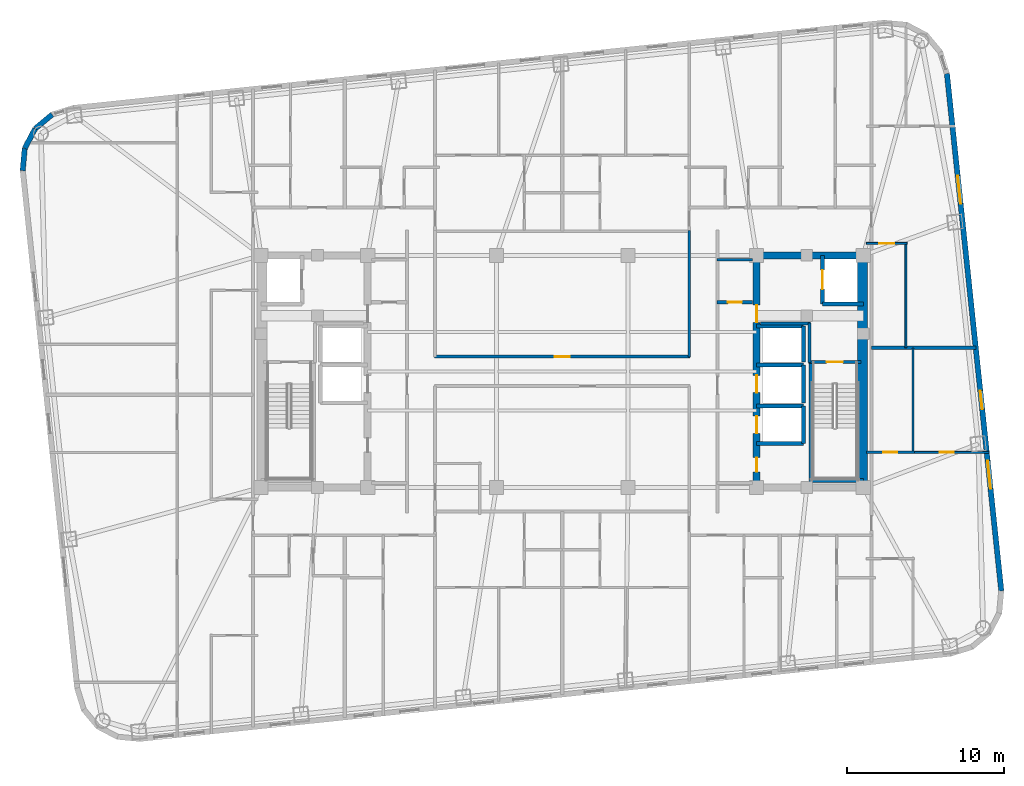
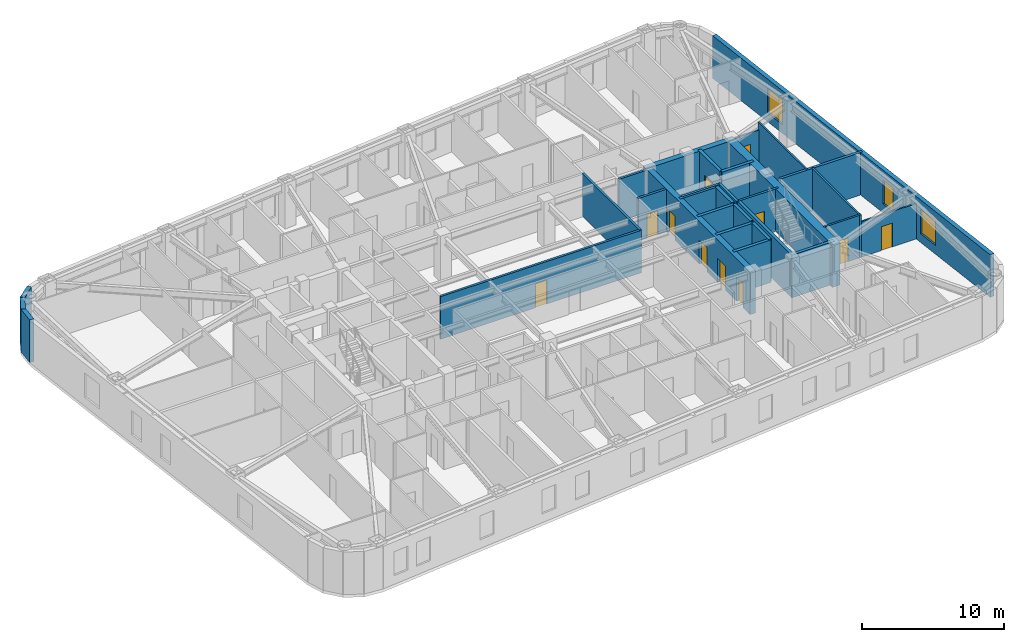
# One storey, part 6 of 11: 31 walls, 11 doors, 3 windows, 14 openings.
"""IFC4 building model written with IfcOpenShell, lengths in metres."""

from ifc_helpers import new_model, si_unit, direction, frame, frame_2d, origin, place, context, subcontext, project, spatial, rectangle, extrude, material, layer, layer_set, type_object, element, fill, save


model = new_model("IFC4")

# Units and contexts
model_context = context("Model", 3, precision=1e-05, world=origin(), true_north=direction((0.0, 1.0)))
body_context = subcontext(model_context, "Body", "Model", "MODEL_VIEW")
ifc_project = project(units=[si_unit("LENGTHUNIT", "METRE"), si_unit("AREAUNIT", "SQUARE_METRE"), si_unit("VOLUMEUNIT", "CUBIC_METRE"), si_unit("PLANEANGLEUNIT", "RADIAN"), si_unit("MASSUNIT", "GRAM", prefix="KILO")], contexts=[model_context])

# Site, building, storey
site_placement = place(None, origin())
site = spatial("IfcSite", under=ifc_project, at=site_placement, CompositionType="ELEMENT")
building_placement = place(site_placement, origin())
building = spatial("IfcBuilding", under=site, at=building_placement, Name="Voryun Gate Residences", CompositionType="ELEMENT")
storey_placement = place(building_placement, frame((0.0, 0.0, 163.800048828125)))
storey = spatial("IfcBuildingStorey", under=building, at=storey_placement, Name="L40", CompositionType="ELEMENT", Elevation=163.800048828125)

# Wall
ifc_material_1 = material(Name="Concrete C50/60", Category="concrete")
ifc_layer_1 = layer(ifc_material_1, 0.449951171875, Name="CW_CORE_450")
ifc_layer_set_1 = layer_set([ifc_layer_1], Name="Concrete C50/60")
wall_type_1 = type_object("IfcWallType", Name="CW_CORE_450", PredefinedType="SHEAR", material=ifc_layer_set_1)
wall_1_placement = place(storey_placement, frame((12.175048828125, 7.39990234375, 0.0), z_axis=(0.0, 0.0, 1.0), x_axis=(1.0, 0.0, 0.0)))
element("IfcWall", 1, at=wall_1_placement, inside=storey, type_object=wall_type_1, Name="L40 Core shear wall CW-L40-EN", PredefinedType="SHEAR", context=body_context, shape_type="SweptSolid", body=[
    extrude(rectangle(XDim=7.25, YDim=0.449951171875, at=frame_2d((3.625, 0.0))), origin(), (0.0, 0.0, 1.0), 3.64990234375),
])

# Wall, openings, doors
wall_2_placement = place(storey_placement, frame((12.39990234375, -7.39990234375, 0.0), z_axis=(0.0, 0.0, 1.0), x_axis=(0.0, 1.0, 0.0)))
wall_2 = element("IfcWall", 2, at=wall_2_placement, inside=storey, type_object=wall_type_1, Name="L40 Core shear wall CW-L40-EW", PredefinedType="SHEAR", context=body_context, shape_type="SweptSolid", body=[
    extrude(rectangle(XDim=14.7998046875, YDim=0.449951171875, at=frame_2d((7.39990234375, 0.0))), origin(), (0.0, 0.0, 1.0), 3.64990234375),
])
opening_1_placement = place(wall_2_placement, frame((3.449951171875, 0.0, 0.0)))
opening_1 = element("IfcOpeningElement", 3, at=opening_1_placement, cuts=wall_2, Name="Opening LD2", PredefinedType="OPENING", context=body_context, shape_type="SweptSolid", body=[
    extrude(rectangle(XDim=1.10009765625, YDim=2.050048828125, at=frame_2d((0.550048828125, 1.02490234375))), frame((0.0, 0.235107421875, 0.0), z_axis=(0.0, -1.0, 0.0), x_axis=(1.0, 0.0, 0.0)), (0.0, 0.0, 1.0), 0.469970703125),
])
opening_2_placement = place(wall_2_placement, frame((6.050048828125, 0.0, 0.0)))
opening_2 = element("IfcOpeningElement", 4, at=opening_2_placement, cuts=wall_2, Name="Opening LD2", PredefinedType="OPENING", context=body_context, shape_type="SweptSolid", body=[
    extrude(rectangle(XDim=1.10009765625, YDim=2.050048828125, at=frame_2d((0.550048828125, 1.02490234375))), frame((0.0, 0.235107421875, 0.0), z_axis=(0.0, -1.0, 0.0), x_axis=(1.0, 0.0, 0.0)), (0.0, 0.0, 1.0), 0.469970703125),
])
opening_3_placement = place(wall_2_placement, frame((10.530029296875, 0.0, 0.0)))
opening_3 = element("IfcOpeningElement", 5, at=opening_3_placement, cuts=wall_2, Name="Opening D-FD60-2", PredefinedType="OPENING", context=body_context, shape_type="SweptSolid", body=[
    extrude(rectangle(XDim=1.10009765625, YDim=2.050048828125, at=frame_2d((0.550048828125, 1.02490234375))), frame((0.0, 0.235107421875, 0.0), z_axis=(0.0, -1.0, 0.0), x_axis=(1.0, 0.0, 0.0)), (0.0, 0.0, 1.0), 0.469970703125),
])
opening_4_placement = place(wall_2_placement, frame((1.0, 0.0, 0.0)))
opening_4 = element("IfcOpeningElement", 6, at=opening_4_placement, cuts=wall_2, Name="Opening D-FD60-4", PredefinedType="OPENING", context=body_context, shape_type="SweptSolid", body=[
    extrude(rectangle(XDim=0.89990234375, YDim=2.050048828125, at=frame_2d((0.449951171875, 1.02490234375))), frame((0.0, 0.235107421875, 0.0), z_axis=(0.0, -1.0, 0.0), x_axis=(1.0, 0.0, 0.0)), (0.0, 0.0, 1.0), 0.469970703125),
])
ifc_material_2 = material(Name="Painted steel fire door", Category="steel")
door_type_1 = type_object("IfcDoorType", Name="DR_FD60_FFLOB_1100", OperationType="NOTDEFINED", PredefinedType="DOOR", material=ifc_material_2)
door_1_placement = place(opening_3_placement, origin())
door_1 = element("IfcDoor", 7, at=door_1_placement, inside=storey, type_object=door_type_1, Name="Door DR-L40-CLOB-E", OperationType="SINGLE_SWING_RIGHT", OverallHeight=2.050048828125, OverallWidth=1.10009765625, PredefinedType="DOOR", context=body_context, shape_type="SweptSolid", body=[
    extrude(rectangle(XDim=1.10009765625, YDim=2.050048828125, at=frame_2d((0.550048828125, 1.02490234375))), frame((0.0, 0.02490234375, 0.0), z_axis=(0.0, -1.0, 0.0), x_axis=(1.0, 0.0, 0.0)), (0.0, 0.0, 1.0), 0.050048828125),
])
fill(opening_3, door_1)
ifc_material_3 = material(Name="Painted steel fire door", Category="steel")
door_type_2 = type_object("IfcDoorType", Name="DR_FD60_RISER_900", OperationType="NOTDEFINED", PredefinedType="DOOR", material=ifc_material_3)
door_2_placement = place(opening_4_placement, origin())
door_2 = element("IfcDoor", 8, at=door_2_placement, inside=storey, type_object=door_type_2, Name="Door DR-L40-RECE1", OperationType="SINGLE_SWING_RIGHT", OverallHeight=2.050048828125, OverallWidth=0.89990234375, PredefinedType="DOOR", context=body_context, shape_type="SweptSolid", body=[
    extrude(rectangle(XDim=0.89990234375, YDim=2.050048828125, at=frame_2d((0.449951171875, 1.02490234375))), frame((0.0, 0.02490234375, 0.0), z_axis=(0.0, -1.0, 0.0), x_axis=(1.0, 0.0, 0.0)), (0.0, 0.0, 1.0), 0.050048828125),
])
fill(opening_4, door_2)
ifc_material_4 = material(Name="Anodised aluminium", Category="aluminium")
door_type_3 = type_object("IfcDoorType", Name="DR_LD_PASS_1100", OperationType="NOTDEFINED", PredefinedType="DOOR", material=ifc_material_4)
door_3_placement = place(opening_1_placement, origin())
door_3 = element("IfcDoor", 9, at=door_3_placement, inside=storey, type_object=door_type_3, Name="Lift EL-P5 sliding landing door L40", OperationType="SLIDING_TO_LEFT", OverallHeight=2.050048828125, OverallWidth=1.10009765625, PredefinedType="DOOR", context=body_context, shape_type="SweptSolid", body=[
    extrude(rectangle(XDim=1.10009765625, YDim=2.050048828125, at=frame_2d((0.550048828125, 1.02490234375))), frame((0.0, 0.02490234375, 0.0), z_axis=(0.0, -1.0, 0.0), x_axis=(1.0, 0.0, 0.0)), (0.0, 0.0, 1.0), 0.050048828125),
])
fill(opening_1, door_3)
door_4_placement = place(opening_2_placement, origin())
door_4 = element("IfcDoor", 10, at=door_4_placement, inside=storey, type_object=door_type_3, Name="Lift EL-P6 sliding landing door L40", OperationType="SLIDING_TO_LEFT", OverallHeight=2.050048828125, OverallWidth=1.10009765625, PredefinedType="DOOR", context=body_context, shape_type="SweptSolid", body=[
    extrude(rectangle(XDim=1.10009765625, YDim=2.050048828125, at=frame_2d((0.550048828125, 1.02490234375))), frame((0.0, 0.02490234375, 0.0), z_axis=(0.0, -1.0, 0.0), x_axis=(1.0, 0.0, 0.0)), (0.0, 0.0, 1.0), 0.050048828125),
])
fill(opening_2, door_4)

# Wall
ifc_material_5 = material(Name="Concrete C60/75", Category="concrete")
ifc_layer_2 = layer(ifc_material_5, 0.64990234375, Name="CW_CORE_650")
ifc_layer_set_2 = layer_set([ifc_layer_2], Name="Concrete C60/75")
wall_type_2 = type_object("IfcWallType", Name="CW_CORE_650", PredefinedType="SHEAR", material=ifc_layer_set_2)
wall_3_placement = place(storey_placement, frame((19.14501953125, -7.39990234375, 0.0), z_axis=(0.0, 0.0, 1.0), x_axis=(0.0, 1.0, 0.0)))
element("IfcWall", 11, at=wall_3_placement, inside=storey, type_object=wall_type_2, Name="L40 Core shear wall CW-L40-EE", PredefinedType="SHEAR", context=body_context, shape_type="SweptSolid", body=[
    extrude(rectangle(XDim=14.7998046875, YDim=0.64990234375, at=frame_2d((7.39990234375, 0.0))), origin(), (0.0, 0.0, 1.0), 3.64990234375),
])

# Wall, opening, door
ifc_material_6 = material(Name="Gypsum acoustic fireboard")
ifc_layer_3 = layer(ifc_material_6, 0.179931640625, Name="W_CORR_RATED_180")
ifc_layer_set_3 = layer_set([ifc_layer_3], Name="Gypsum acoustic fireboard")
wall_type_3 = type_object("IfcWallType", Name="W_CORR_RATED_180", PredefinedType="PARTITIONING", material=ifc_layer_set_3)
wall_4_placement = place(storey_placement, frame((15.699951171875, 0.60009765625, 0.0), z_axis=(0.0, 0.0, 1.0), x_axis=(1.0, 0.0, 0.0)))
wall_4 = element("IfcWall", 12, at=wall_4_placement, inside=storey, type_object=wall_type_3, Name="Partition wall WP-L40-STV-E", PredefinedType="PARTITIONING", context=body_context, shape_type="SweptSolid", body=[
    extrude(rectangle(XDim=3.360107421875, YDim=0.179931640625, at=frame_2d((1.68017578125, 0.0))), origin(), (0.0, 0.0, 1.0), 3.64990234375),
])
opening_5_placement = place(wall_4_placement, frame((1.155029296875, 0.0, 0.0)))
opening_5 = element("IfcOpeningElement", 13, at=opening_5_placement, cuts=wall_4, Name="Opening D-FD60-1", PredefinedType="OPENING", context=body_context, shape_type="SweptSolid", body=[
    extrude(rectangle(XDim=1.050048828125, YDim=2.050048828125, at=frame_2d((0.52490234375, 1.02490234375))), frame((0.0, 0.099853515625, 0.0), z_axis=(0.0, -1.0, 0.0), x_axis=(1.0, 0.0, 0.0)), (0.0, 0.0, 1.0), 0.199951171875),
])
ifc_material_7 = material(Name="Painted steel fire door", Category="steel")
door_type_4 = type_object("IfcDoorType", Name="DR_FD60_STAIR_1050", OperationType="NOTDEFINED", PredefinedType="DOOR", material=ifc_material_7)
door_5_placement = place(opening_5_placement, origin())
door_5 = element("IfcDoor", 14, at=door_5_placement, inside=storey, type_object=door_type_4, Name="Door DR-L40-ST-E", OperationType="SINGLE_SWING_RIGHT", OverallHeight=2.050048828125, OverallWidth=1.050048828125, PredefinedType="DOOR", context=body_context, shape_type="SweptSolid", body=[
    extrude(rectangle(XDim=1.050048828125, YDim=2.050048828125, at=frame_2d((0.52490234375, 1.02490234375))), frame((0.0, 0.02490234375, 0.0), z_axis=(0.0, -1.0, 0.0), x_axis=(1.0, 0.0, 0.0)), (0.0, 0.0, 1.0), 0.050048828125),
])
fill(opening_5, door_5)

# Wall
wall_5_placement = place(storey_placement, frame((9.8798828125, 7.1201171875, 0.0), z_axis=(0.0, 0.0, 1.0), x_axis=(1.0, 0.0, 0.0)))
element("IfcWall", 15, at=wall_5_placement, inside=storey, type_object=wall_type_3, Name="Partition wall WP-L40-PLBN-E", PredefinedType="PARTITIONING", context=body_context, shape_type="SweptSolid", body=[
    extrude(rectangle(XDim=2.27001953125, YDim=0.179931640625, at=frame_2d((1.135009765625, 0.0))), origin(), (0.0, 0.0, 1.0), 3.64990234375),
])

# Wall, opening, door
wall_6_placement = place(storey_placement, frame((-8.14990234375, 0.93994140625, 0.0), z_axis=(0.0, 0.0, 1.0), x_axis=(1.0, 0.0, 0.0)))
wall_6 = element("IfcWall", 16, at=wall_6_placement, inside=storey, type_object=wall_type_3, Name="Partition wall WP-L40-Z2HN", PredefinedType="PARTITIONING", context=body_context, shape_type="SweptSolid", body=[
    extrude(rectangle(XDim=16.2998046875, YDim=0.179931640625, at=frame_2d((8.14990234375, 0.0))), origin(), (0.0, 0.0, 1.0), 3.64990234375),
])
opening_6_placement = place(wall_6_placement, frame((7.675048828125, 0.0, 0.0)))
opening_6 = element("IfcOpeningElement", 17, at=opening_6_placement, cuts=wall_6, Name="Opening D-INT-1", PredefinedType="OPENING", context=body_context, shape_type="SweptSolid", body=[
    extrude(rectangle(XDim=0.949951171875, YDim=2.050048828125, at=frame_2d((0.47509765625, 1.02490234375))), frame((0.0, 0.099853515625, 0.0), z_axis=(0.0, -1.0, 0.0), x_axis=(1.0, 0.0, 0.0)), (0.0, 0.0, 1.0), 0.199951171875),
])
ifc_material_8 = material(Name="Architectural oak veneer")
door_type_5 = type_object("IfcDoorType", Name="DR_INT_ROOM_950", OperationType="NOTDEFINED", PredefinedType="DOOR", material=ifc_material_8)
door_6_placement = place(opening_6_placement, origin())
door_6 = element("IfcDoor", 18, at=door_6_placement, inside=storey, type_object=door_type_5, Name="Door DR-L40-Z2NH", OperationType="SINGLE_SWING_LEFT", OverallHeight=2.050048828125, OverallWidth=0.949951171875, PredefinedType="DOOR", context=body_context, shape_type="SweptSolid", body=[
    extrude(rectangle(XDim=0.949951171875, YDim=2.050048828125, at=frame_2d((0.47509765625, 1.02490234375))), frame((0.0, 0.02490234375, 0.0), z_axis=(0.0, -1.0, 0.0), x_axis=(1.0, 0.0, 0.0)), (0.0, 0.0, 1.0), 0.050048828125),
])
fill(opening_6, door_6)

# Walls
wall_7_placement = place(storey_placement, frame((8.10009765625, 0.919921875, 0.0), z_axis=(0.0, 0.0, 1.0), x_axis=(0.0, 1.0, 0.0)))
element("IfcWall", 19, at=wall_7_placement, inside=storey, type_object=wall_type_3, Name="Partition wall WP-L40-Z2ER1", PredefinedType="PARTITIONING", context=body_context, shape_type="SweptSolid", body=[
    extrude(rectangle(XDim=8.06005859375, YDim=0.179931640625, at=frame_2d((4.030029296875, 0.0))), origin(), (0.0, 0.0, 1.0), 3.64990234375),
])
ifc_material_9 = material(Name="Charcoal terracotta masonry", Category="masonry")
ifc_layer_4 = layer(ifc_material_9, 0.340087890625, Name="W_EXT_TERRACOTTA_340")
ifc_layer_set_4 = layer_set([ifc_layer_4], Name="Charcoal terracotta masonry")
wall_type_4 = type_object("IfcWallType", Name="W_EXT_TERRACOTTA_340", PredefinedType="ELEMENTEDWALL", material=ifc_layer_set_4)
wall_8_placement = place(storey_placement, frame((-34.401123046875, 12.795166015625, 0.0), z_axis=(0.0, 0.0, 1.0), x_axis=(0.091534682358, 0.995801888894, 0.0)))
element("IfcWall", 20, at=wall_8_placement, inside=storey, type_object=wall_type_4, Name="Exterior wall WEXT-L40-07", PredefinedType="ELEMENTEDWALL", context=body_context, shape_type="SweptSolid", body=[
    extrude(rectangle(XDim=1.432373046875, YDim=0.340087890625, at=frame_2d((0.71630859375, 0.0))), origin(), (0.0, 0.0, 1.0), 3.64990234375),
])
for number, where, z_axis, x_axis, name in (
    (21, (-34.27001953125, 14.221435546875, 0.0), (0.0, 0.0, 1.0), (0.465682431293, 0.884951904447, 0.0), "Exterior wall WEXT-L40-08"),
    (22, (-33.611083984375, 15.4736328125, 0.0), (0.0, 0.0, 1.0), (0.768843196093, 0.639437361921, 0.0), "Exterior wall WEXT-L40-09"),
):
    element("IfcWall", number, at=place(storey_placement, frame(where, z_axis=z_axis, x_axis=x_axis)), inside=storey, type_object=wall_type_4, Name=name, PredefinedType="ELEMENTEDWALL", context=body_context, shape_type="SweptSolid", body=[
        extrude(rectangle(XDim=1.4150390625, YDim=0.340087890625, at=frame_2d((0.70751953125, 0.0))), origin(), (0.0, 0.0, 1.0), 3.64990234375),
    ])

# Wall, openings, windows
wall_9_placement = place(storey_placement, frame((24.5341796875, 18.989501953125, 0.0), z_axis=(0.0, 0.0, 1.0), x_axis=(0.104534959766, -0.994521212537, 0.0)))
wall_9 = element("IfcWall", 23, at=wall_9_placement, inside=storey, type_object=wall_type_4, Name="Exterior wall WEXT-L40-16", PredefinedType="ELEMENTEDWALL", context=body_context, shape_type="SweptSolid", body=[
    extrude(rectangle(XDim=33.166259765625, YDim=0.340087890625, at=frame_2d((16.5830078125, 0.0))), origin(), (0.0, 0.0, 1.0), 3.64990234375),
])
opening_7_placement = place(wall_9_placement, frame((6.54150390625, 0.0, 0.75)))
opening_7 = element("IfcOpeningElement", 24, at=opening_7_placement, cuts=wall_9, Name="Opening WN1", PredefinedType="OPENING", context=body_context, shape_type="SweptSolid", body=[
    extrude(rectangle(XDim=1.800048828125, YDim=2.10009765625, at=frame_2d((0.89990234375, 1.050048828125))), frame((0.0, 0.179931640625, 0.0), z_axis=(0.0, -1.0, 0.0), x_axis=(1.0, 0.0, 0.0)), (0.0, 0.0, 1.0), 0.360107421875),
])
opening_8_placement = place(wall_9_placement, frame((24.824951171875, 0.0, 0.75)))
opening_8 = element("IfcOpeningElement", 25, at=opening_8_placement, cuts=wall_9, Name="Opening WN1", PredefinedType="OPENING", context=body_context, shape_type="SweptSolid", body=[
    extrude(rectangle(XDim=1.800048828125, YDim=2.10009765625, at=frame_2d((0.89990234375, 1.050048828125))), frame((0.0, 0.179931640625, 0.0), z_axis=(0.0, -1.0, 0.0), x_axis=(1.0, 0.0, 0.0)), (0.0, 0.0, 1.0), 0.360107421875),
])
opening_9_placement = place(wall_9_placement, frame((20.33203125, 0.0, 0.75)))
opening_9 = element("IfcOpeningElement", 26, at=opening_9_placement, cuts=wall_9, Name="Opening WN6", PredefinedType="OPENING", context=body_context, shape_type="SweptSolid", body=[
    extrude(rectangle(XDim=1.199951171875, YDim=2.050048828125, at=frame_2d((0.60009765625, 1.02490234375))), frame((0.0, 0.179931640625, 0.0), z_axis=(0.0, -1.0, 0.0), x_axis=(1.0, 0.0, 0.0)), (0.0, 0.0, 1.0), 0.360107421875),
])
ifc_material_10 = material(Name="Laminated low-E glass", Category="glass")
window_type_1 = type_object("IfcWindowType", Name="WN_POD_SLOT_1200", PartitioningType="SINGLE_PANEL", PredefinedType="WINDOW", material=ifc_material_10)
window_1_placement = place(opening_9_placement, origin())
window_1 = element("IfcWindow", 27, at=window_1_placement, inside=storey, type_object=window_type_1, Name="Window WN-L40-DWFIX-26", OverallHeight=2.050048828125, OverallWidth=1.199951171875, PartitioningType="SINGLE_PANEL", PredefinedType="WINDOW", context=body_context, shape_type="SweptSolid", body=[
    extrude(rectangle(XDim=1.199951171875, YDim=2.050048828125, at=frame_2d((0.60009765625, 1.02490234375))), frame((0.0, 0.030029296875, 0.0), z_axis=(0.0, -1.0, 0.0), x_axis=(1.0, 0.0, 0.0)), (0.0, 0.0, 1.0), 0.06005859375),
])
fill(opening_9, window_1)
ifc_material_11 = material(Name="Laminated low-E glass", Category="glass")
window_type_2 = type_object("IfcWindowType", Name="WN_RES_PUNCH_1800", PartitioningType="SINGLE_PANEL", PredefinedType="WINDOW", material=ifc_material_11)
window_2_placement = place(opening_7_placement, origin())
window_2 = element("IfcWindow", 28, at=window_2_placement, inside=storey, type_object=window_type_2, Name="Window WN-WEXT-L40-16-01", OverallHeight=2.10009765625, OverallWidth=1.800048828125, PartitioningType="SINGLE_PANEL", PredefinedType="WINDOW", context=body_context, shape_type="SweptSolid", body=[
    extrude(rectangle(XDim=1.800048828125, YDim=2.10009765625, at=frame_2d((0.89990234375, 1.050048828125))), frame((0.0, 0.030029296875, 0.0), z_axis=(0.0, -1.0, 0.0), x_axis=(1.0, 0.0, 0.0)), (0.0, 0.0, 1.0), 0.06005859375),
])
fill(opening_7, window_2)
window_3_placement = place(opening_8_placement, origin())
window_3 = element("IfcWindow", 29, at=window_3_placement, inside=storey, type_object=window_type_2, Name="Window WN-WEXT-L40-16-02", OverallHeight=2.10009765625, OverallWidth=1.800048828125, PartitioningType="SINGLE_PANEL", PredefinedType="WINDOW", context=body_context, shape_type="SweptSolid", body=[
    extrude(rectangle(XDim=1.800048828125, YDim=2.10009765625, at=frame_2d((0.89990234375, 1.050048828125))), frame((0.0, 0.030029296875, 0.0), z_axis=(0.0, -1.0, 0.0), x_axis=(1.0, 0.0, 0.0)), (0.0, 0.0, 1.0), 0.06005859375),
])
fill(opening_8, window_3)

# Walls
ifc_material_12 = material(Name="Concrete C40/50", Category="concrete")
ifc_layer_5 = layer(ifc_material_12, 0.199951171875, Name="W_FF_LOBBY_200")
ifc_layer_set_5 = layer_set([ifc_layer_5], Name="Concrete C40/50")
wall_type_5 = type_object("IfcWallType", Name="W_FF_LOBBY_200", PredefinedType="PARTITIONING", material=ifc_layer_set_5)
wall_10_placement = place(storey_placement, frame((15.760009765625, 0.580078125, 0.0), z_axis=(0.0, 0.0, 1.0), x_axis=(0.0, 1.0, 0.0)))
element("IfcWall", 30, at=wall_10_placement, inside=storey, type_object=wall_type_5, Name="Partition wall WP-L40-FFP0-E", PredefinedType="PARTITIONING", context=body_context, shape_type="SweptSolid", body=[
    extrude(rectangle(XDim=2.52001953125, YDim=0.199951171875, at=frame_2d((1.260009765625, 0.0))), origin(), (0.0, 0.0, 1.0), 3.64990234375),
])
wall_11_placement = place(storey_placement, frame((12.659912109375, 3.06005859375, 0.0), z_axis=(0.0, 0.0, 1.0), x_axis=(1.0, 0.0, 0.0)))
element("IfcWall", 31, at=wall_11_placement, inside=storey, type_object=wall_type_5, Name="Partition wall WP-L40-FFPS-E", PredefinedType="PARTITIONING", context=body_context, shape_type="SweptSolid", body=[
    extrude(rectangle(XDim=3.16015625, YDim=0.199951171875, at=frame_2d((1.580078125, 0.0))), origin(), (0.0, 0.0, 1.0), 3.64990234375),
])

# Wall, opening, door
wall_12_placement = place(storey_placement, frame((9.8798828125, 4.409912109375, 0.0), z_axis=(0.0, 0.0, 1.0), x_axis=(1.0, 0.0, 0.0)))
wall_12 = element("IfcWall", 32, at=wall_12_placement, inside=storey, type_object=wall_type_5, Name="Partition wall WP-L40-CSFLKS-E", PredefinedType="PARTITIONING", context=body_context, shape_type="SweptSolid", body=[
    extrude(rectangle(XDim=2.27001953125, YDim=0.199951171875, at=frame_2d((1.135009765625, 0.0))), origin(), (0.0, 0.0, 1.0), 3.64990234375),
])
opening_10_placement = place(wall_12_placement, frame((0.68505859375, 0.0, 0.0)))
opening_10 = element("IfcOpeningElement", 33, at=opening_10_placement, cuts=wall_12, Name="Opening D-FD60-4", PredefinedType="OPENING", context=body_context, shape_type="SweptSolid", body=[
    extrude(rectangle(XDim=0.89990234375, YDim=2.050048828125, at=frame_2d((0.449951171875, 1.02490234375))), frame((0.0, 0.110107421875, 0.0), z_axis=(0.0, -1.0, 0.0), x_axis=(1.0, 0.0, 0.0)), (0.0, 0.0, 1.0), 0.219970703125),
])
door_7_placement = place(opening_10_placement, origin())
door_7 = element("IfcDoor", 34, at=door_7_placement, inside=storey, type_object=door_type_2, Name="Door DR-L40-CSFLK-E", OperationType="SINGLE_SWING_RIGHT", OverallHeight=2.050048828125, OverallWidth=0.89990234375, PredefinedType="DOOR", context=body_context, shape_type="SweptSolid", body=[
    extrude(rectangle(XDim=0.89990234375, YDim=2.050048828125, at=frame_2d((0.449951171875, 1.02490234375))), frame((0.0, 0.02490234375, 0.0), z_axis=(0.0, -1.0, 0.0), x_axis=(1.0, 0.0, 0.0)), (0.0, 0.0, 1.0), 0.050048828125),
])
fill(opening_10, door_7)

# Walls
ifc_material_13 = material(Name="Concrete C40/50", Category="concrete")
ifc_layer_6 = layer(ifc_material_13, 0.219970703125, Name="W_PARTY_ACOUSTIC_220")
ifc_layer_set_6 = layer_set([ifc_layer_6], Name="Concrete C40/50")
wall_type_6 = type_object("IfcWallType", Name="W_PARTY_ACOUSTIC_220", PredefinedType="PARTITIONING", material=ifc_layer_set_6)
wall_13_placement = place(storey_placement, frame((19.719970703125, 1.5, 0.0), z_axis=(0.0, 0.0, 1.0), x_axis=(1.0, 0.0, 0.0)))
element("IfcWall", 35, at=wall_13_placement, inside=storey, type_object=wall_type_6, Name="Partition wall WP-L40-EPTY", PredefinedType="PARTITIONING", context=body_context, shape_type="SweptSolid", body=[
    extrude(rectangle(XDim=6.652587890625, YDim=0.219970703125, at=frame_2d((3.326171875, 0.0))), origin(), (0.0, 0.0, 1.0), 3.64990234375),
])
ifc_material_14 = material(Name="Concrete C50/60", Category="concrete")
ifc_layer_7 = layer(ifc_material_14, 0.25, Name="W_SHAFT_RC250")
ifc_layer_set_7 = layer_set([ifc_layer_7], Name="Concrete C50/60")
wall_type_7 = type_object("IfcWallType", Name="W_SHAFT_RC250", PredefinedType="SOLIDWALL", material=ifc_layer_set_7)
wall_14_placement = place(storey_placement, frame((15.860107421875, -7.0849609375, 0.0), z_axis=(0.0, 0.0, 1.0), x_axis=(0.0, 1.0, 0.0)))
element("IfcWall", 36, at=wall_14_placement, inside=storey, type_object=wall_type_7, Name="L40 Stair shaft structural wall E-STL", PredefinedType="SOLIDWALL", context=body_context, shape_type="SweptSolid", body=[
    extrude(rectangle(XDim=7.68505859375, YDim=0.25, at=frame_2d((3.842529296875, 0.0))), origin(), (0.0, 0.0, 1.0), 3.64990234375),
])
wall_15_placement = place(storey_placement, frame((15.739990234375, -6.965087890625, 0.0), z_axis=(0.0, 0.0, 1.0), x_axis=(1.0, 0.0, 0.0)))
element("IfcWall", 37, at=wall_15_placement, inside=storey, type_object=wall_type_7, Name="L40 Stair shaft structural wall E-STS", PredefinedType="SOLIDWALL", context=body_context, shape_type="SweptSolid", body=[
    extrude(rectangle(XDim=3.4599609375, YDim=0.25, at=frame_2d((1.72998046875, 0.0))), origin(), (0.0, 0.0, 1.0), 3.64990234375),
])
wall_16_placement = place(storey_placement, frame((16.60009765625, 4.300048828125, 0.0), z_axis=(0.0, 0.0, 1.0), x_axis=(1.0, 0.0, 0.0)))
element("IfcWall", 38, at=wall_16_placement, inside=storey, type_object=wall_type_7, Name="Lift shaft wall WSH-L40-EL-FF-E1-S", PredefinedType="SOLIDWALL", context=body_context, shape_type="SweptSolid", body=[
    extrude(rectangle(XDim=2.599853515625, YDim=0.25, at=frame_2d((1.2998046875, 0.0))), origin(), (0.0, 0.0, 1.0), 3.64990234375),
])

# Wall, opening, door
wall_17_placement = place(storey_placement, frame((16.60009765625, 7.39990234375, 0.0), z_axis=(0.0, 0.0, 1.0), x_axis=(0.0, -1.0, 0.0)))
wall_17 = element("IfcWall", 39, at=wall_17_placement, inside=storey, type_object=wall_type_7, Name="Lift shaft wall WSH-L40-EL-FF-E1-W", PredefinedType="SOLIDWALL", context=body_context, shape_type="SweptSolid", body=[
    extrude(rectangle(XDim=3.099853515625, YDim=0.25, at=frame_2d((1.5498046875, 0.0))), origin(), (0.0, 0.0, 1.0), 3.64990234375),
])
opening_11_placement = place(wall_17_placement, frame((0.949951171875, 0.0, 0.0)))
opening_11 = element("IfcOpeningElement", 40, at=opening_11_placement, cuts=wall_17, Name="Opening LD1", PredefinedType="OPENING", context=body_context, shape_type="SweptSolid", body=[
    extrude(rectangle(XDim=1.199951171875, YDim=2.050048828125, at=frame_2d((0.60009765625, 1.02490234375))), frame((0.0, 0.135009765625, 0.0), z_axis=(0.0, -1.0, 0.0), x_axis=(1.0, 0.0, 0.0)), (0.0, 0.0, 1.0), 0.27001953125),
])
ifc_material_15 = material(Name="Anodised aluminium", Category="aluminium")
door_type_6 = type_object("IfcDoorType", Name="DR_LD_FF_1200", OperationType="NOTDEFINED", PredefinedType="DOOR", material=ifc_material_15)
door_8_placement = place(opening_11_placement, origin())
door_8 = element("IfcDoor", 41, at=door_8_placement, inside=storey, type_object=door_type_6, Name="Lift EL-FF-E1 sliding landing door L40", OperationType="SLIDING_TO_LEFT", OverallHeight=2.050048828125, OverallWidth=1.199951171875, PredefinedType="DOOR", context=body_context, shape_type="SweptSolid", body=[
    extrude(rectangle(XDim=1.199951171875, YDim=2.050048828125, at=frame_2d((0.60009765625, 1.02490234375))), frame((0.0, 0.02490234375, 0.0), z_axis=(0.0, -1.0, 0.0), x_axis=(1.0, 0.0, 0.0)), (0.0, 0.0, 1.0), 0.050048828125),
])
fill(opening_11, door_8)

# Walls
wall_18_placement = place(storey_placement, frame((12.39990234375, -4.60009765625, 0.0), z_axis=(0.0, 0.0, 1.0), x_axis=(1.0, 0.0, 0.0)))
element("IfcWall", 42, at=wall_18_placement, inside=storey, type_object=wall_type_7, Name="Lift shaft wall WSH-L40-EL-P5-S", PredefinedType="SOLIDWALL", context=body_context, shape_type="SweptSolid", body=[
    extrude(rectangle(XDim=3.0, YDim=0.25, at=frame_2d((1.5, 0.0))), origin(), (0.0, 0.0, 1.0), 3.64990234375),
])
wall_19_placement = place(storey_placement, frame((15.39990234375, -4.60009765625, 0.0), z_axis=(0.0, 0.0, 1.0), x_axis=(0.0, 1.0, 0.0)))
element("IfcWall", 43, at=wall_19_placement, inside=storey, type_object=wall_type_7, Name="Lift shaft wall WSH-L40-EL-P5-E", PredefinedType="SOLIDWALL", context=body_context, shape_type="SweptSolid", body=[
    extrude(rectangle(XDim=2.400146484375, YDim=0.25, at=frame_2d((1.2001953125, 0.0))), origin(), (0.0, 0.0, 1.0), 3.64990234375),
])
wall_20_placement = place(storey_placement, frame((15.39990234375, -2.199951171875, 0.0), z_axis=(0.0, 0.0, 1.0), x_axis=(-1.0, 0.0, 0.0)))
element("IfcWall", 44, at=wall_20_placement, inside=storey, type_object=wall_type_7, Name="Lift shaft wall WSH-L40-EL-P5-N", PredefinedType="SOLIDWALL", context=body_context, shape_type="SweptSolid", body=[
    extrude(rectangle(XDim=3.0, YDim=0.25, at=frame_2d((1.5, 0.0))), origin(), (0.0, 0.0, 1.0), 3.64990234375),
])
wall_21_placement = place(storey_placement, frame((15.39990234375, -2.0, 0.0), z_axis=(0.0, 0.0, 1.0), x_axis=(0.0, 1.0, 0.0)))
element("IfcWall", 45, at=wall_21_placement, inside=storey, type_object=wall_type_7, Name="Lift shaft wall WSH-L40-EL-P6-E", PredefinedType="SOLIDWALL", context=body_context, shape_type="SweptSolid", body=[
    extrude(rectangle(XDim=2.39990234375, YDim=0.25, at=frame_2d((1.199951171875, 0.0))), origin(), (0.0, 0.0, 1.0), 3.64990234375),
])
wall_22_placement = place(storey_placement, frame((15.39990234375, 0.39990234375, 0.0), z_axis=(0.0, 0.0, 1.0), x_axis=(-1.0, 0.0, 0.0)))
element("IfcWall", 46, at=wall_22_placement, inside=storey, type_object=wall_type_7, Name="Lift shaft wall WSH-L40-EL-P6-N", PredefinedType="SOLIDWALL", context=body_context, shape_type="SweptSolid", body=[
    extrude(rectangle(XDim=3.0, YDim=0.25, at=frame_2d((1.5, 0.0))), origin(), (0.0, 0.0, 1.0), 3.64990234375),
])
wall_23_placement = place(storey_placement, frame((15.39990234375, 0.60009765625, 0.0), z_axis=(0.0, 0.0, 1.0), x_axis=(0.0, 1.0, 0.0)))
element("IfcWall", 47, at=wall_23_placement, inside=storey, type_object=wall_type_7, Name="Lift shaft wall WSH-L40-EL-P8-E", PredefinedType="SOLIDWALL", context=body_context, shape_type="SweptSolid", body=[
    extrude(rectangle(XDim=2.2998046875, YDim=0.25, at=frame_2d((1.14990234375, 0.0))), origin(), (0.0, 0.0, 1.0), 3.64990234375),
])
wall_24_placement = place(storey_placement, frame((15.39990234375, 2.89990234375, 0.0), z_axis=(0.0, 0.0, 1.0), x_axis=(-1.0, 0.0, 0.0)))
element("IfcWall", 48, at=wall_24_placement, inside=storey, type_object=wall_type_7, Name="Lift shaft wall WSH-L40-EL-P8-N", PredefinedType="SOLIDWALL", context=body_context, shape_type="SweptSolid", body=[
    extrude(rectangle(XDim=3.0, YDim=0.25, at=frame_2d((1.5, 0.0))), origin(), (0.0, 0.0, 1.0), 3.64990234375),
])

# Wall, opening, door
ifc_material_16 = material(Name="Gypsum acoustic partition")
ifc_layer_8 = layer(ifc_material_16, 0.125, Name="W_UNIT_PART_125")
ifc_layer_set_8 = layer_set([ifc_layer_8], Name="Gypsum acoustic partition")
wall_type_8 = type_object("IfcWallType", Name="W_UNIT_PART_125", PredefinedType="PARTITIONING", material=ifc_layer_set_8)
wall_25_placement = place(storey_placement, frame((22.31005859375, -5.159912109375, 0.0), z_axis=(0.0, 0.0, 1.0), x_axis=(1.0, 0.0, 0.0)))
wall_25 = element("IfcWall", 49, at=wall_25_placement, inside=storey, type_object=wall_type_8, Name="Partition wall WP-L40-E1-OHZ", PredefinedType="PARTITIONING", context=body_context, shape_type="SweptSolid", body=[
    extrude(rectangle(XDim=4.913330078125, YDim=0.125, at=frame_2d((2.45654296875, 0.0))), origin(), (0.0, 0.0, 1.0), 3.0400390625),
])
opening_12_placement = place(wall_25_placement, frame((1.760986328125, 0.0, 0.0)))
opening_12 = element("IfcOpeningElement", 50, at=opening_12_placement, cuts=wall_25, Name="Opening D-INT-2", PredefinedType="OPENING", context=body_context, shape_type="SweptSolid", body=[
    extrude(rectangle(XDim=0.89990234375, YDim=2.050048828125, at=frame_2d((0.449951171875, 1.02490234375))), frame((0.0, 0.072509765625, 0.0), z_axis=(0.0, -1.0, 0.0), x_axis=(1.0, 0.0, 0.0)), (0.0, 0.0, 1.0), 0.14501953125),
])
ifc_material_17 = material(Name="Architectural oak veneer")
door_type_7 = type_object("IfcDoorType", Name="DR_INT_BATH_900", OperationType="NOTDEFINED", PredefinedType="DOOR", material=ifc_material_17)
door_9_placement = place(opening_12_placement, origin())
door_9 = element("IfcDoor", 51, at=door_9_placement, inside=storey, type_object=door_type_7, Name="Door DR-L40-E1-DMB", OperationType="SINGLE_SWING_LEFT", OverallHeight=2.050048828125, OverallWidth=0.89990234375, PredefinedType="DOOR", context=body_context, shape_type="SweptSolid", body=[
    extrude(rectangle(XDim=0.89990234375, YDim=2.050048828125, at=frame_2d((0.449951171875, 1.02490234375))), frame((0.0, 0.02490234375, 0.0), z_axis=(0.0, -1.0, 0.0), x_axis=(1.0, 0.0, 0.0)), (0.0, 0.0, 1.0), 0.050048828125),
])
fill(opening_12, door_9)

wall_26_placement = place(storey_placement, frame((19.39990234375, 8.159912109375, 0.0), z_axis=(0.0, 0.0, 1.0), x_axis=(1.0, 0.0, 0.0)))
wall_26 = element("IfcWall", 52, at=wall_26_placement, inside=storey, type_object=wall_type_8, Name="Partition wall WP-L40-E2-IKA", PredefinedType="PARTITIONING", context=body_context, shape_type="SweptSolid", body=[
    extrude(rectangle(XDim=2.60009765625, YDim=0.125, at=frame_2d((1.300048828125, 0.0))), origin(), (0.0, 0.0, 1.0), 3.0400390625),
])
opening_13_placement = place(wall_26_placement, frame((0.824951171875, 0.0, 0.0)))
opening_13 = element("IfcOpeningElement", 53, at=opening_13_placement, cuts=wall_26, Name="Opening D-INT-1", PredefinedType="OPENING", context=body_context, shape_type="SweptSolid", body=[
    extrude(rectangle(XDim=0.949951171875, YDim=2.050048828125, at=frame_2d((0.47509765625, 1.02490234375))), frame((0.0, 0.072509765625, 0.0), z_axis=(0.0, -1.0, 0.0), x_axis=(1.0, 0.0, 0.0)), (0.0, 0.0, 1.0), 0.14501953125),
])
door_10_placement = place(opening_13_placement, origin())
door_10 = element("IfcDoor", 54, at=door_10_placement, inside=storey, type_object=door_type_5, Name="Door DR-L40-E2-DK", OperationType="SINGLE_SWING_LEFT", OverallHeight=2.050048828125, OverallWidth=0.949951171875, PredefinedType="DOOR", context=body_context, shape_type="SweptSolid", body=[
    extrude(rectangle(XDim=0.949951171875, YDim=2.050048828125, at=frame_2d((0.47509765625, 1.02490234375))), frame((0.0, 0.02490234375, 0.0), z_axis=(0.0, -1.0, 0.0), x_axis=(1.0, 0.0, 0.0)), (0.0, 0.0, 1.0), 0.050048828125),
])
fill(opening_13, door_10)

# Wall
wall_27_placement = place(storey_placement, frame((21.919921875, 1.52001953125, 0.0), z_axis=(0.0, 0.0, 1.0), x_axis=(0.0, 1.0, 0.0)))
element("IfcWall", 55, at=wall_27_placement, inside=storey, type_object=wall_type_8, Name="Partition wall WP-L40-E2-VTA", PredefinedType="PARTITIONING", context=body_context, shape_type="SweptSolid", body=[
    extrude(rectangle(XDim=6.719970703125, YDim=0.125, at=frame_2d((3.35986328125, 0.0))), origin(), (0.0, 0.0, 1.0), 3.64990234375),
])

# Wall, opening, door
ifc_material_18 = material(Name="Gypsum moisture-resistant partition")
ifc_layer_9 = layer(ifc_material_18, 0.14990234375, Name="W_WET_PLUMB_150")
ifc_layer_set_9 = layer_set([ifc_layer_9], Name="Gypsum moisture-resistant partition")
wall_type_9 = type_object("IfcWallType", Name="W_WET_PLUMB_150", PredefinedType="PLUMBINGWALL", material=ifc_layer_set_9)
wall_28_placement = place(storey_placement, frame((19.39990234375, -5.159912109375, 0.0), z_axis=(0.0, 0.0, 1.0), x_axis=(1.0, 0.0, 0.0)))
wall_28 = element("IfcWall", 56, at=wall_28_placement, inside=storey, type_object=wall_type_9, Name="Partition wall WP-L40-E1-IBB", PredefinedType="PLUMBINGWALL", context=body_context, shape_type="SweptSolid", body=[
    extrude(rectangle(XDim=3.050048828125, YDim=0.14990234375, at=frame_2d((1.52490234375, 0.0))), origin(), (0.0, 0.0, 1.0), 3.64990234375),
])
opening_14_placement = place(wall_28_placement, frame((1.074951171875, 0.0, 0.0)))
opening_14 = element("IfcOpeningElement", 57, at=opening_14_placement, cuts=wall_28, Name="Opening D-INT-2", PredefinedType="OPENING", context=body_context, shape_type="SweptSolid", body=[
    extrude(rectangle(XDim=0.89990234375, YDim=2.050048828125, at=frame_2d((0.449951171875, 1.02490234375))), frame((0.0, 0.0849609375, 0.0), z_axis=(0.0, -1.0, 0.0), x_axis=(1.0, 0.0, 0.0)), (0.0, 0.0, 1.0), 0.169921875),
])
door_11_placement = place(opening_14_placement, origin())
door_11 = element("IfcDoor", 58, at=door_11_placement, inside=storey, type_object=door_type_7, Name="Door DR-L40-E1-DB", OperationType="SINGLE_SWING_RIGHT", OverallHeight=2.050048828125, OverallWidth=0.89990234375, PredefinedType="DOOR", context=body_context, shape_type="SweptSolid", body=[
    extrude(rectangle(XDim=0.89990234375, YDim=2.050048828125, at=frame_2d((0.449951171875, 1.02490234375))), frame((0.0, 0.02490234375, 0.0), z_axis=(0.0, -1.0, 0.0), x_axis=(1.0, 0.0, 0.0)), (0.0, 0.0, 1.0), 0.050048828125),
])
fill(opening_14, door_11)

# Wall
wall_29_placement = place(storey_placement, frame((22.3701171875, -5.239990234375, 0.0), z_axis=(0.0, 0.0, 1.0), x_axis=(0.0, 1.0, 0.0)))
element("IfcWall", 59, at=wall_29_placement, inside=storey, type_object=wall_type_9, Name="Partition wall WP-L40-E1-VTB", PredefinedType="PLUMBINGWALL", context=body_context, shape_type="SweptSolid", body=[
    extrude(rectangle(XDim=6.719970703125, YDim=0.14990234375, at=frame_2d((3.35986328125, 0.0))), origin(), (0.0, 0.0, 1.0), 3.64990234375),
])

save(model, "model.ifc")
